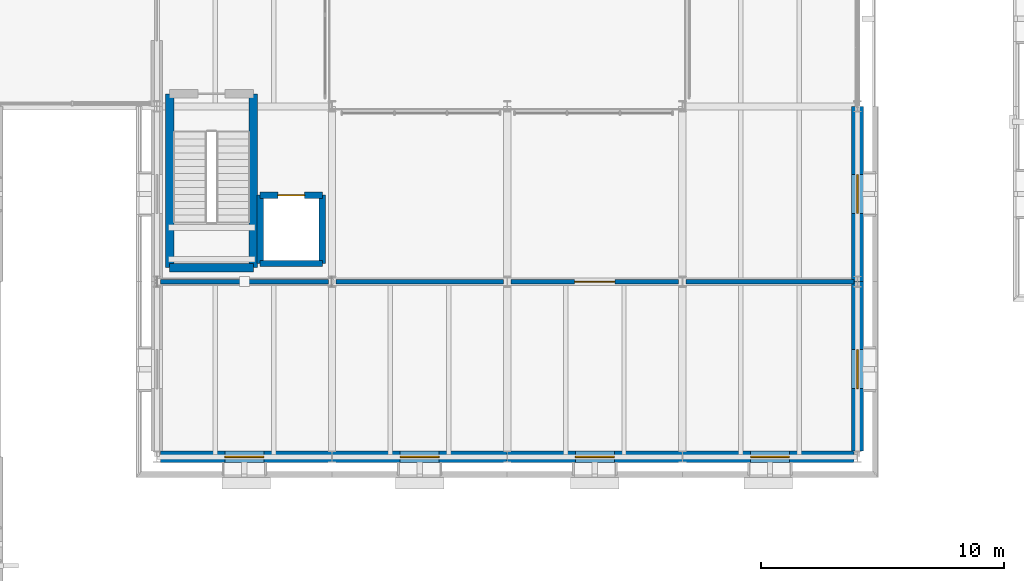
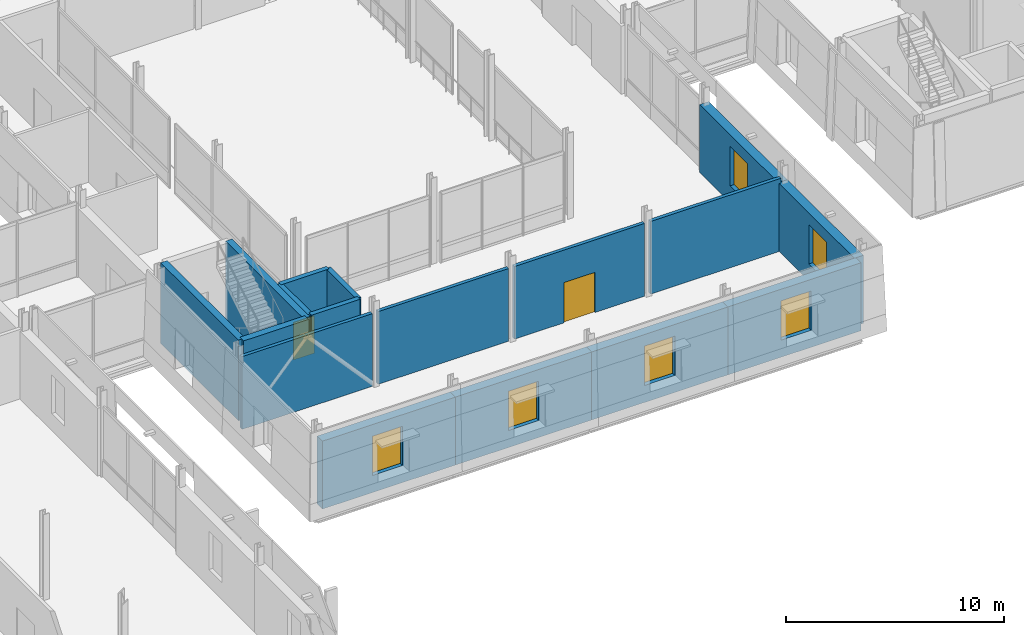
# One storey, part 77 of 121: 17 walls, 6 windows, 2 doors, 8 openings.
"""IFC4 building model written with IfcOpenShell, lengths in metres."""

import ifcopenshell
import ifcopenshell.guid

model = None  # the IFC model being written
_history = None  # IfcOwnerHistory: only IFC2X3 demands one
_inside = {}  # id of a spatial element -> (the spatial element, [elements in it])
_under = {}  # id of a project, library or spatial element -> (it, [spatial elements below it])
_declared = {}  # id of a project -> (the project, [libraries it declares])
_typed = {}  # id of a type object -> (the type object, [elements of that type])
_made_of = {}  # id of a material, layer set ... -> (it, [elements and type objects made of it])


def new_model(schema):
    """Start an empty IFC model of exactly this schema.

    Asked for "IFC4X3", IfcOpenShell would pick the latest addendum, in which some entities
    have other attributes; the version numbers below select the first issue.
    IFC2X3 requires an IfcOwnerHistory on every rooted entity: one is made here for all.
    """
    global model, _history
    if schema == "IFC4X3":
        model = ifcopenshell.file(schema_version=(4, 3, 0, 0))
    else:
        model = ifcopenshell.file(schema=schema)
    _inside.clear()
    _under.clear()
    _declared.clear()
    _typed.clear()
    _made_of.clear()
    _history = None
    if model.schema == "IFC2X3":
        org = make("IfcOrganization", Name="unknown")
        user = make(
            "IfcPersonAndOrganization",
            ThePerson=make("IfcPerson", FamilyName="unknown"),
            TheOrganization=org,
        )
        app = make(
            "IfcApplication",
            ApplicationDeveloper=org,
            Version="unknown",
            ApplicationFullName="unknown",
            ApplicationIdentifier="unknown",
        )
        _history = make(
            "IfcOwnerHistory",
            OwningUser=user,
            OwningApplication=app,
            ChangeAction="ADDED",
            CreationDate=0,
        )
    return model


def make(cls, **values):
    """One entity of the class cls with the attributes given. An attribute that is None is left unset."""
    return model.create_entity(
        cls, **{name: value for name, value in values.items() if value is not None}
    )


def rooted(cls, **values):
    """An entity with a GlobalId (a new one), such as an element, a storey or a relation."""
    return make(cls, GlobalId=ifcopenshell.guid.new(), OwnerHistory=_history, **values)


def si_unit(unit_type, name, prefix=None):
    """IfcSIUnit, for example si_unit("LENGTHUNIT", "METRE", prefix="MILLI")."""
    return make("IfcSIUnit", UnitType=unit_type, Prefix=prefix, Name=name)


def assignment(units):
    """IfcUnitAssignment: the units of a project."""
    return None if units is None else make("IfcUnitAssignment", Units=units)


def point(xyz):
    """IfcCartesianPoint."""
    return None if xyz is None else make("IfcCartesianPoint", Coordinates=xyz)


def direction(xyz):
    """IfcDirection."""
    return None if xyz is None else make("IfcDirection", DirectionRatios=xyz)


def frame(location, z_axis=None, x_axis=None):
    """IfcAxis2Placement3D, a coordinate frame: its origin and axes. An axis left out is left unset."""
    return make(
        "IfcAxis2Placement3D",
        Location=point(location),
        Axis=direction(z_axis),
        RefDirection=direction(x_axis),
    )


def frame_2d(location, x_axis=None):
    """IfcAxis2Placement2D, a coordinate frame in the plane: its origin and x axis."""
    return make(
        "IfcAxis2Placement2D", Location=point(location), RefDirection=direction(x_axis)
    )


def origin():
    """The frame at (0, 0, 0) with its axes left unset."""
    return frame((0.0, 0.0, 0.0))


def place(relative_to, where):
    """IfcLocalPlacement: puts the frame where relative to a parent placement (None: the world)."""
    return make(
        "IfcLocalPlacement", PlacementRelTo=relative_to, RelativePlacement=where
    )


def context(
    kind, dimensions, precision=None, world=None, true_north=None, identifier=None
):
    """IfcGeometricRepresentationContext, for example the 3D "Model" context."""
    return make(
        "IfcGeometricRepresentationContext",
        ContextIdentifier=identifier,
        ContextType=kind,
        CoordinateSpaceDimension=dimensions,
        Precision=precision,
        WorldCoordinateSystem=world,
        TrueNorth=true_north,
    )


def subcontext(parent, identifier, kind, view, scale=None):
    """IfcGeometricRepresentationSubContext, for example "Body" below "Model"."""
    return make(
        "IfcGeometricRepresentationSubContext",
        ContextIdentifier=identifier,
        ContextType=kind,
        ParentContext=parent,
        TargetScale=scale,
        TargetView=view,
    )


def project(units=None, contexts=None):
    """IfcProject with its units and contexts."""
    return rooted(
        "IfcProject",
        Name="project",
        RepresentationContexts=contexts,
        UnitsInContext=assignment(units),
    )


def spatial(cls, under=None, at=None, **own):
    """A site, building, storey or space (cls), placed at a placement, below another one or the project."""
    s = rooted(cls, ObjectPlacement=at, **own)
    if under is not None:
        _under.setdefault(under.id(), (under, []))[1].append(s)
    return s


def profile(cls, at=None, kind="AREA", **sizes):
    """A parametric profile (cls). Its sizes go by their IFC names, for example OverallWidth=200.0."""
    return make(cls, ProfileType=kind, Position=at, **sizes)


def rectangle(**sizes):
    """IfcRectangleProfileDef."""
    return profile("IfcRectangleProfileDef", **sizes)


def extrude(swept, where, along, depth):
    """IfcExtrudedAreaSolid: the profile swept, set in the frame where, extruded along a direction by depth."""
    return make(
        "IfcExtrudedAreaSolid",
        SweptArea=swept,
        Position=where,
        ExtrudedDirection=direction(along),
        Depth=depth,
    )


def shape(context_of_items, identifier, shape_type, items):
    """IfcShapeRepresentation: the items that make up one representation, for example the "Body"."""
    return make(
        "IfcShapeRepresentation",
        ContextOfItems=context_of_items,
        RepresentationIdentifier=identifier,
        RepresentationType=shape_type,
        Items=items,
    )


def material(Name=None, Category=None):
    """IfcMaterial."""
    return make("IfcMaterial", Name=Name, Category=Category)


def layer(
    of_material, thickness, ventilated=None, Name=None, Category=None, Priority=None
):
    """IfcMaterialLayer: one layer of a wall or slab, of a material (None: an air gap)."""
    return make(
        "IfcMaterialLayer",
        Material=of_material,
        LayerThickness=thickness,
        IsVentilated=ventilated,
        Name=Name,
        Category=Category,
        Priority=Priority,
    )


def layer_set(layers, Name=None):
    """IfcMaterialLayerSet."""
    return make("IfcMaterialLayerSet", MaterialLayers=layers, LayerSetName=Name)


def made_of(thing, what):
    """Note that an element or type object is made of a material, layer set ...; save() writes the relation."""
    if what is not None:
        _made_of.setdefault(what.id(), (what, []))[1].append(thing)
    return thing


def type_object(cls, material=None, **own):
    """A type object (cls), such as IfcWallType, which elements share."""
    return made_of(rooted(cls, **own), material)


def element(
    cls,
    number,
    at=None,
    inside=None,
    cuts=None,
    type_object=None,
    material=None,
    context=None,
    identifier="Body",
    shape_type=None,
    held_by="IfcProductDefinitionShape",
    body=None,
    shapes=None,
    **own,
):
    """One element of the class cls, such as IfcWall. Its Tag is "e" and its number.

    at: its placement. inside: the storey or other place that contains it. cuts: it is an
    opening in that element (IfcRelVoidsElement). A single representation is given by context,
    identifier, shape_type and body (its items); several are given by shapes. held_by: the class
    of the entity that holds the representations. save() writes the other relations.
    """
    e = rooted(cls, Tag="e%d" % number, ObjectPlacement=at, **own)
    if body is not None:
        shapes = [shape(context, identifier, shape_type, body)]
    if shapes is not None:
        e.Representation = make(held_by, Representations=shapes)
    if inside is not None:
        _inside.setdefault(inside.id(), (inside, []))[1].append(e)
    if cuts is not None:
        rooted(
            "IfcRelVoidsElement", RelatingBuildingElement=cuts, RelatedOpeningElement=e
        )
    if type_object is not None:
        _typed.setdefault(type_object.id(), (type_object, []))[1].append(e)
    return made_of(e, material)


def fill(opening, filler):
    """IfcRelFillsElement: the door or window that sits in an opening."""
    return rooted(
        "IfcRelFillsElement",
        RelatingOpeningElement=opening,
        RelatedBuildingElement=filler,
    )


def aggregate(whole, parts):
    """IfcRelAggregates: a whole, such as a stair, and the parts it consists of."""
    return rooted("IfcRelAggregates", RelatingObject=whole, RelatedObjects=parts)


def save(model, path):
    """Write the relations noted so far, then the file.

    IfcRelAggregates (storeys below a building ...), IfcRelContainedInSpatialStructure (elements
    in a storey), IfcRelDefinesByType, IfcRelAssociatesMaterial and IfcRelDeclares: one each for
    every whole, place, type object, material and project.
    """
    for whole, parts in _under.values():
        aggregate(whole, parts)
    for where, things in _inside.values():
        rooted(
            "IfcRelContainedInSpatialStructure",
            RelatedElements=things,
            RelatingStructure=where,
        )
    for kind, things in _typed.values():
        rooted("IfcRelDefinesByType", RelatedObjects=things, RelatingType=kind)
    for what, things in _made_of.values():
        rooted("IfcRelAssociatesMaterial", RelatedObjects=things, RelatingMaterial=what)
    for by, libraries in _declared.values():
        rooted("IfcRelDeclares", RelatingContext=by, RelatedDefinitions=libraries)
    model.write(path)


model = new_model("IFC4")

# Units and contexts
model_context = context("Model", 3, precision=1e-05, world=origin(), true_north=direction((0.0, 1.0)))
body_context = subcontext(model_context, "Body", "Model", "MODEL_VIEW")
ifc_project = project(units=[si_unit("LENGTHUNIT", "METRE"), si_unit("AREAUNIT", "SQUARE_METRE"), si_unit("VOLUMEUNIT", "CUBIC_METRE"), si_unit("PLANEANGLEUNIT", "RADIAN"), si_unit("MASSUNIT", "GRAM", prefix="KILO")], contexts=[model_context])

# Site, building, storey
site_placement = place(None, origin())
site = spatial("IfcSite", under=ifc_project, at=site_placement, CompositionType="ELEMENT")
building_placement = place(site_placement, origin())
building = spatial("IfcBuilding", under=site, at=building_placement, Name="Narikvali Park Central Library", CompositionType="ELEMENT")
storey_placement = place(building_placement, frame((0.0, 0.0, 5.39990234375)))
storey = spatial("IfcBuildingStorey", under=building, at=storey_placement, Name="L01", CompositionType="ELEMENT", Elevation=5.39990234375)

# Walls
ifc_material_1 = material(Name="Acoustic Gypsum on Steel Studs", Category="steel")
ifc_layer_1 = layer(ifc_material_1, 0.179931640625, Name="Acoustic Gypsum on Steel Studs")
ifc_layer_set_1 = layer_set([ifc_layer_1], Name="Acoustic Gypsum on Steel Studs")
wall_type_1 = type_object("IfcWallType", Name="Reading Room Acoustic Partition 180", PredefinedType="PARTITIONING", material=ifc_layer_set_1)
for number, where, z_axis, x_axis, name in (
    (1, (28.9541015625, 57.60009765625, 0.0), (0.0, 0.0, 1.0), (1.0, 0.0, 0.0), "Atrium Park-View Reading Room L01 Partition N"),
    (2, (36.154052734375, 57.60009765625, 0.0), (0.0, 0.0, 1.0), (1.0, 0.0, 0.0), "Atrium Park-View Reading Room L01 Partition N"),
):
    element("IfcWall", number, at=place(storey_placement, frame(where, z_axis=z_axis, x_axis=x_axis)), inside=storey, type_object=wall_type_1, Name=name, PredefinedType="PARTITIONING", context=body_context, shape_type="SweptSolid", body=[
        extrude(rectangle(XDim=6.891845703125, YDim=0.179931640625, at=frame_2d((3.44580078125, 0.0))), origin(), (0.0, 0.0, 1.0), 4.065185546875),
    ])

# Wall, opening, door
wall_1_placement = place(storey_placement, frame((43.35400390625, 57.60009765625, 0.0), z_axis=(0.0, 0.0, 1.0), x_axis=(1.0, 0.0, 0.0)))
wall_1 = element("IfcWall", 3, at=wall_1_placement, inside=storey, type_object=wall_type_1, Name="Atrium Park-View Reading Room L01 Partition N", PredefinedType="PARTITIONING", context=body_context, shape_type="SweptSolid", body=[
    extrude(rectangle(XDim=6.89208984375, YDim=0.179931640625, at=frame_2d((3.446044921875, 0.0))), origin(), (0.0, 0.0, 1.0), 4.065185546875),
])
opening_1_placement = place(wall_1_placement, frame((2.62109375, 0.0, 0.0)))
opening_1 = element("IfcOpeningElement", 4, at=opening_1_placement, cuts=wall_1, Name="Opening ID-0092", PredefinedType="OPENING", context=body_context, shape_type="SweptSolid", body=[
    extrude(rectangle(XDim=1.64990234375, YDim=2.25, at=frame_2d((0.824951171875, 1.125))), frame((0.0, 0.10205078125, 0.0), z_axis=(0.0, -1.0, 0.0), x_axis=(1.0, 0.0, 0.0)), (0.0, 0.0, 1.0), 0.203857421875),
])
ifc_material_2 = material(Name="Caucasian Oak and Tempered Glass", Category="glass")
door_type_1 = type_object("IfcDoorType", Name="Open Stacks Double Glazed Door 1650x2250", OperationType="DOUBLE_DOOR_SINGLE_SWING", PredefinedType="DOOR", material=ifc_material_2)
door_1_placement = place(opening_1_placement, frame((1.64990234375, 0.0, 0.0), z_axis=(0.0, 0.0, 1.0), x_axis=(-1.0, 0.0, 0.0)))
door_1 = element("IfcDoor", 5, at=door_1_placement, inside=storey, type_object=door_type_1, Name="Atrium Park-View Reading Room L01 Door ID-0092", OperationType="DOUBLE_DOOR_SINGLE_SWING", OverallHeight=2.25, OverallWidth=1.64990234375, PredefinedType="DOOR", context=body_context, shape_type="SweptSolid", body=[
    extrude(rectangle(XDim=1.64990234375, YDim=2.25, at=frame_2d((0.824951171875, 1.125))), frame((0.0, 0.02490234375, 0.0), z_axis=(0.0, -1.0, 0.0), x_axis=(1.0, 0.0, 0.0)), (0.0, 0.0, 1.0), 0.050048828125),
])
fill(opening_1, door_1)

# Walls
wall_2_placement = place(storey_placement, frame((50.553955078125, 57.60009765625, 0.0), z_axis=(0.0, 0.0, 1.0), x_axis=(1.0, 0.0, 0.0)))
element("IfcWall", 6, at=wall_2_placement, inside=storey, type_object=wall_type_1, Name="Atrium Park-View Reading Room L01 Partition N", PredefinedType="PARTITIONING", context=body_context, shape_type="SweptSolid", body=[
    extrude(rectangle(XDim=6.89208984375, YDim=0.179931640625, at=frame_2d((3.446044921875, 0.0))), origin(), (0.0, 0.0, 1.0), 4.065185546875),
])
ifc_material_3 = material(Name="Concrete C40/50", Category="concrete")
ifc_layer_2 = layer(ifc_material_3, 0.35009765625, Name="Concrete C40/50")
ifc_layer_set_2 = layer_set([ifc_layer_2], Name="Concrete C40/50")
wall_type_2 = type_object("IfcWallType", Name="Reinforced Concrete Core Shear Wall 350", PredefinedType="SHEAR", material=ifc_layer_set_2)
wall_3_placement = place(storey_placement, frame((29.330078125, 58.179931640625, 0.0), z_axis=(0.0, 0.0, 1.0), x_axis=(1.0, 0.0, 0.0)))
element("IfcWall", 7, at=wall_3_placement, inside=storey, type_object=wall_type_2, Name="C4A L01 Stair Core Shear Wall S", PredefinedType="SHEAR", context=body_context, shape_type="SweptSolid", body=[
    extrude(rectangle(XDim=3.43994140625, YDim=0.35009765625, at=frame_2d((1.719970703125, 0.0))), origin(), (0.0, 0.0, 1.0), 4.52001953125),
])
for number, where, z_axis, x_axis, name in (
    (8, (32.77001953125, 58.179931640625, 0.0), (0.0, 0.0, 1.0), (0.0, 1.0, 0.0), "C4A L01 Stair Core Shear Wall E"),
    (9, (29.330078125, 65.320068359375, 0.0), (0.0, 0.0, 1.0), (0.0, -1.0, 0.0), "C4A L01 Stair Core Shear Wall W"),
):
    element("IfcWall", number, at=place(storey_placement, frame(where, z_axis=z_axis, x_axis=x_axis)), inside=storey, type_object=wall_type_2, Name=name, PredefinedType="SHEAR", context=body_context, shape_type="SweptSolid", body=[
        extrude(rectangle(XDim=7.14013671875, YDim=0.35009765625, at=frame_2d((3.570068359375, 0.0))), origin(), (0.0, 0.0, 1.0), 4.52001953125),
    ])
ifc_layer_3 = layer(ifc_material_3, 0.25, Name="Concrete C40/50")
ifc_layer_set_3 = layer_set([ifc_layer_3], Name="Concrete C40/50")
wall_type_3 = type_object("IfcWallType", Name="Reinforced Concrete Lift Shaft Wall 250", PredefinedType="SHEAR", material=ifc_layer_set_3)
wall_4_placement = place(storey_placement, frame((33.050048828125, 58.35009765625, 0.0), z_axis=(0.0, 0.0, 1.0), x_axis=(1.0, 0.0, 0.0)))
element("IfcWall", 10, at=wall_4_placement, inside=storey, type_object=wall_type_3, Name="L-05 L01 Lift Shaft Wall S", PredefinedType="SHEAR", context=body_context, shape_type="SweptSolid", body=[
    extrude(rectangle(XDim=2.550048828125, YDim=0.25, at=frame_2d((1.27490234375, 0.0))), origin(), (0.0, 0.0, 1.0), 4.52001953125),
])
wall_5_placement = place(storey_placement, frame((35.60009765625, 58.35009765625, 0.0), z_axis=(0.0, 0.0, 1.0), x_axis=(0.0, 1.0, 0.0)))
element("IfcWall", 11, at=wall_5_placement, inside=storey, type_object=wall_type_3, Name="L-05 L01 Lift Shaft Wall E", PredefinedType="SHEAR", context=body_context, shape_type="SweptSolid", body=[
    extrude(rectangle(XDim=2.7998046875, YDim=0.25, at=frame_2d((1.39990234375, 0.0))), origin(), (0.0, 0.0, 1.0), 4.52001953125),
])

# Wall, opening, door
wall_6_placement = place(storey_placement, frame((35.60009765625, 61.14990234375, 0.0), z_axis=(0.0, 0.0, 1.0), x_axis=(-1.0, 0.0, 0.0)))
wall_6 = element("IfcWall", 12, at=wall_6_placement, inside=storey, type_object=wall_type_3, Name="L-05 L01 Lift Shaft Wall N", PredefinedType="SHEAR", context=body_context, shape_type="SweptSolid", body=[
    extrude(rectangle(XDim=2.550048828125, YDim=0.25, at=frame_2d((1.27490234375, 0.0))), origin(), (0.0, 0.0, 1.0), 4.52001953125),
])
opening_2_placement = place(wall_6_placement, frame((0.72509765625, 0.0, 0.0)))
opening_2 = element("IfcOpeningElement", 13, at=opening_2_placement, cuts=wall_6, Name="Opening LD-024", PredefinedType="OPENING", context=body_context, shape_type="SweptSolid", body=[
    extrude(rectangle(XDim=1.10009765625, YDim=2.10009765625, at=frame_2d((0.550048828125, 1.050048828125))), frame((0.0, 0.136962890625, 0.0), z_axis=(0.0, -1.0, 0.0), x_axis=(1.0, 0.0, 0.0)), (0.0, 0.0, 1.0), 0.27392578125),
])
ifc_material_4 = material(Name="Brushed Stainless Steel S355", Category="steel")
door_type_2 = type_object("IfcDoorType", Name="Passenger Lift Sliding Landing Door 1100x2100", OperationType="SLIDING_TO_LEFT", PredefinedType="DOOR", material=ifc_material_4)
door_2_placement = place(opening_2_placement, origin())
door_2 = element("IfcDoor", 14, at=door_2_placement, inside=storey, type_object=door_type_2, Name="L-05 L01 Lift Landing Sliding Door LD-024", OperationType="SLIDING_TO_LEFT", OverallHeight=2.10009765625, OverallWidth=1.10009765625, PredefinedType="DOOR", context=body_context, shape_type="SweptSolid", body=[
    extrude(rectangle(XDim=1.10009765625, YDim=2.10009765625, at=frame_2d((0.550048828125, 1.050048828125))), frame((0.0, 0.02490234375, 0.0), z_axis=(0.0, -1.0, 0.0), x_axis=(1.0, 0.0, 0.0)), (0.0, 0.0, 1.0), 0.050048828125),
])
fill(opening_2, door_2)

# Wall
wall_7_placement = place(storey_placement, frame((33.050048828125, 61.14990234375, 0.0), z_axis=(0.0, 0.0, 1.0), x_axis=(0.0, -1.0, 0.0)))
element("IfcWall", 15, at=wall_7_placement, inside=storey, type_object=wall_type_3, Name="L-05 L01 Lift Shaft Wall W", PredefinedType="SHEAR", context=body_context, shape_type="SweptSolid", body=[
    extrude(rectangle(XDim=2.7998046875, YDim=0.25, at=frame_2d((1.39990234375, 0.0))), origin(), (0.0, 0.0, 1.0), 4.52001953125),
])

# Wall, opening, window
ifc_material_5 = material(Name="White Honed Limestone over Concrete C35/45", Category="masonry")
ifc_layer_4 = layer(ifc_material_5, 0.47998046875, Name="White Honed Limestone over Concrete C35/45")
ifc_layer_set_4 = layer_set([ifc_layer_4], Name="White Honed Limestone over Concrete C35/45")
wall_type_4 = type_object("IfcWallType", Name="White Limestone Battered Tier1 Wall 480", PredefinedType="SOLIDWALL", material=ifc_layer_set_4)
wall_8_placement = place(storey_placement, frame((28.9541015625, 50.39990234375, 0.0), z_axis=(0.0, 0.0, 1.0), x_axis=(1.0, 0.0, 0.0)))
wall_8 = element("IfcWall", 16, at=wall_8_placement, inside=storey, type_object=wall_type_4, Name="V4 L01 S Exterior Limestone Wall B01", PredefinedType="SOLIDWALL", context=body_context, shape_type="SweptSolid", body=[
    extrude(rectangle(XDim=7.0458984375, YDim=0.47998046875, at=frame_2d((3.52294921875, 0.0))), origin(), (0.0, 0.0, 1.0), 3.800048828125),
])
opening_3_placement = place(wall_8_placement, frame((2.64599609375, 0.0, 0.949951171875)))
opening_3 = element("IfcOpeningElement", 17, at=opening_3_placement, cuts=wall_8, Name="Opening WIN-0143", PredefinedType="OPENING", context=body_context, shape_type="SweptSolid", body=[
    extrude(rectangle(XDim=1.60009765625, YDim=2.199951171875, at=frame_2d((0.800048828125, 1.10009765625))), frame((0.0, 0.251953125, 0.0), z_axis=(0.0, -1.0, 0.0), x_axis=(1.0, 0.0, 0.0)), (0.0, 0.0, 1.0), 0.50390625),
])
ifc_material_6 = material(Name="Anodised Bronze Aluminium and Low-E Triple Glazing", Category="aluminium")
window_type = type_object("IfcWindowType", Name="Atrium Reading Wing Classical Window 1600x2200", PartitioningType="DOUBLE_PANEL_VERTICAL", PredefinedType="WINDOW", material=ifc_material_6)
window_1_placement = place(opening_3_placement, origin())
window_1 = element("IfcWindow", 18, at=window_1_placement, inside=storey, type_object=window_type, Name="V4 L01 S Deep-Reveal Window WIN-0143", OverallHeight=2.199951171875, OverallWidth=1.60009765625, PartitioningType="SINGLE_PANEL", PredefinedType="WINDOW", context=body_context, shape_type="SweptSolid", body=[
    extrude(rectangle(XDim=1.60009765625, YDim=2.199951171875, at=frame_2d((0.800048828125, 1.10009765625))), frame((0.0, 0.030029296875, 0.0), z_axis=(0.0, -1.0, 0.0), x_axis=(1.0, 0.0, 0.0)), (0.0, 0.0, 1.0), 0.06005859375),
])
fill(opening_3, window_1)

wall_9_placement = place(storey_placement, frame((36.0, 50.39990234375, 0.0), z_axis=(0.0, 0.0, 1.0), x_axis=(1.0, 0.0, 0.0)))
wall_9 = element("IfcWall", 19, at=wall_9_placement, inside=storey, type_object=wall_type_4, Name="V4 L01 S Exterior Limestone Wall B02", PredefinedType="SOLIDWALL", context=body_context, shape_type="SweptSolid", body=[
    extrude(rectangle(XDim=7.199951171875, YDim=0.47998046875, at=frame_2d((3.60009765625, 0.0))), origin(), (0.0, 0.0, 1.0), 3.800048828125),
])
opening_4_placement = place(wall_9_placement, frame((2.800048828125, 0.0, 0.949951171875)))
opening_4 = element("IfcOpeningElement", 20, at=opening_4_placement, cuts=wall_9, Name="Opening WIN-0144", PredefinedType="OPENING", context=body_context, shape_type="SweptSolid", body=[
    extrude(rectangle(XDim=1.60009765625, YDim=2.199951171875, at=frame_2d((0.800048828125, 1.10009765625))), frame((0.0, 0.251953125, 0.0), z_axis=(0.0, -1.0, 0.0), x_axis=(1.0, 0.0, 0.0)), (0.0, 0.0, 1.0), 0.50390625),
])
window_2_placement = place(opening_4_placement, origin())
window_2 = element("IfcWindow", 21, at=window_2_placement, inside=storey, type_object=window_type, Name="V4 L01 S Deep-Reveal Window WIN-0144", OverallHeight=2.199951171875, OverallWidth=1.60009765625, PartitioningType="SINGLE_PANEL", PredefinedType="WINDOW", context=body_context, shape_type="SweptSolid", body=[
    extrude(rectangle(XDim=1.60009765625, YDim=2.199951171875, at=frame_2d((0.800048828125, 1.10009765625))), frame((0.0, 0.030029296875, 0.0), z_axis=(0.0, -1.0, 0.0), x_axis=(1.0, 0.0, 0.0)), (0.0, 0.0, 1.0), 0.06005859375),
])
fill(opening_4, window_2)

wall_10_placement = place(storey_placement, frame((43.199951171875, 50.39990234375, 0.0), z_axis=(0.0, 0.0, 1.0), x_axis=(1.0, 0.0, 0.0)))
wall_10 = element("IfcWall", 22, at=wall_10_placement, inside=storey, type_object=wall_type_4, Name="V4 L01 S Exterior Limestone Wall B03", PredefinedType="SOLIDWALL", context=body_context, shape_type="SweptSolid", body=[
    extrude(rectangle(XDim=7.199951171875, YDim=0.47998046875, at=frame_2d((3.60009765625, 0.0))), origin(), (0.0, 0.0, 1.0), 3.800048828125),
])
opening_5_placement = place(wall_10_placement, frame((2.800048828125, 0.0, 0.949951171875)))
opening_5 = element("IfcOpeningElement", 23, at=opening_5_placement, cuts=wall_10, Name="Opening WIN-0145", PredefinedType="OPENING", context=body_context, shape_type="SweptSolid", body=[
    extrude(rectangle(XDim=1.60009765625, YDim=2.199951171875, at=frame_2d((0.800048828125, 1.10009765625))), frame((0.0, 0.251953125, 0.0), z_axis=(0.0, -1.0, 0.0), x_axis=(1.0, 0.0, 0.0)), (0.0, 0.0, 1.0), 0.50390625),
])
window_3_placement = place(opening_5_placement, origin())
window_3 = element("IfcWindow", 24, at=window_3_placement, inside=storey, type_object=window_type, Name="V4 L01 S Deep-Reveal Window WIN-0145", OverallHeight=2.199951171875, OverallWidth=1.60009765625, PartitioningType="SINGLE_PANEL", PredefinedType="WINDOW", context=body_context, shape_type="SweptSolid", body=[
    extrude(rectangle(XDim=1.60009765625, YDim=2.199951171875, at=frame_2d((0.800048828125, 1.10009765625))), frame((0.0, 0.030029296875, 0.0), z_axis=(0.0, -1.0, 0.0), x_axis=(1.0, 0.0, 0.0)), (0.0, 0.0, 1.0), 0.06005859375),
])
fill(opening_5, window_3)

wall_11_placement = place(storey_placement, frame((50.39990234375, 50.39990234375, 0.0), z_axis=(0.0, 0.0, 1.0), x_axis=(1.0, 0.0, 0.0)))
wall_11 = element("IfcWall", 25, at=wall_11_placement, inside=storey, type_object=wall_type_4, Name="V4 L01 S Exterior Limestone Wall B04", PredefinedType="SOLIDWALL", context=body_context, shape_type="SweptSolid", body=[
    extrude(rectangle(XDim=7.046142578125, YDim=0.47998046875, at=frame_2d((3.52294921875, 0.0))), origin(), (0.0, 0.0, 1.0), 3.800048828125),
])
opening_6_placement = place(wall_11_placement, frame((2.800048828125, 0.0, 0.949951171875)))
opening_6 = element("IfcOpeningElement", 26, at=opening_6_placement, cuts=wall_11, Name="Opening WIN-0146", PredefinedType="OPENING", context=body_context, shape_type="SweptSolid", body=[
    extrude(rectangle(XDim=1.60009765625, YDim=2.199951171875, at=frame_2d((0.800048828125, 1.10009765625))), frame((0.0, 0.251953125, 0.0), z_axis=(0.0, -1.0, 0.0), x_axis=(1.0, 0.0, 0.0)), (0.0, 0.0, 1.0), 0.50390625),
])
window_4_placement = place(opening_6_placement, origin())
window_4 = element("IfcWindow", 27, at=window_4_placement, inside=storey, type_object=window_type, Name="V4 L01 S Deep-Reveal Window WIN-0146", OverallHeight=2.199951171875, OverallWidth=1.60009765625, PartitioningType="SINGLE_PANEL", PredefinedType="WINDOW", context=body_context, shape_type="SweptSolid", body=[
    extrude(rectangle(XDim=1.60009765625, YDim=2.199951171875, at=frame_2d((0.800048828125, 1.10009765625))), frame((0.0, 0.030029296875, 0.0), z_axis=(0.0, -1.0, 0.0), x_axis=(1.0, 0.0, 0.0)), (0.0, 0.0, 1.0), 0.06005859375),
])
fill(opening_6, window_4)

wall_12_placement = place(storey_placement, frame((57.60009765625, 50.62890625, 0.0), z_axis=(0.0, 0.0, 1.0), x_axis=(0.0, 1.0, 0.0)))
wall_12 = element("IfcWall", 28, at=wall_12_placement, inside=storey, type_object=wall_type_4, Name="V4 L01 E Exterior Limestone Wall B01", PredefinedType="SOLIDWALL", context=body_context, shape_type="SweptSolid", body=[
    extrude(rectangle(XDim=6.97119140625, YDim=0.47998046875, at=frame_2d((3.485595703125, 0.0))), origin(), (0.0, 0.0, 1.0), 3.800048828125),
])
opening_7_placement = place(wall_12_placement, frame((2.571044921875, 0.0, 0.949951171875)))
opening_7 = element("IfcOpeningElement", 29, at=opening_7_placement, cuts=wall_12, Name="Opening WIN-0147", PredefinedType="OPENING", context=body_context, shape_type="SweptSolid", body=[
    extrude(rectangle(XDim=1.60009765625, YDim=2.199951171875, at=frame_2d((0.800048828125, 1.10009765625))), frame((0.0, 0.251953125, 0.0), z_axis=(0.0, -1.0, 0.0), x_axis=(1.0, 0.0, 0.0)), (0.0, 0.0, 1.0), 0.50390625),
])
window_5_placement = place(opening_7_placement, origin())
window_5 = element("IfcWindow", 30, at=window_5_placement, inside=storey, type_object=window_type, Name="V4 L01 E Deep-Reveal Window WIN-0147", OverallHeight=2.199951171875, OverallWidth=1.60009765625, PartitioningType="SINGLE_PANEL", PredefinedType="WINDOW", context=body_context, shape_type="SweptSolid", body=[
    extrude(rectangle(XDim=1.60009765625, YDim=2.199951171875, at=frame_2d((0.800048828125, 1.10009765625))), frame((0.0, 0.030029296875, 0.0), z_axis=(0.0, -1.0, 0.0), x_axis=(1.0, 0.0, 0.0)), (0.0, 0.0, 1.0), 0.06005859375),
])
fill(opening_7, window_5)

wall_13_placement = place(storey_placement, frame((57.60009765625, 57.60009765625, 0.0), z_axis=(0.0, 0.0, 1.0), x_axis=(0.0, 1.0, 0.0)))
wall_13 = element("IfcWall", 31, at=wall_13_placement, inside=storey, type_object=wall_type_4, Name="V4 L01 E Exterior Limestone Wall B02", PredefinedType="SOLIDWALL", context=body_context, shape_type="SweptSolid", body=[
    extrude(rectangle(XDim=7.199951171875, YDim=0.47998046875, at=frame_2d((3.60009765625, 0.0))), origin(), (0.0, 0.0, 1.0), 3.800048828125),
])
opening_8_placement = place(wall_13_placement, frame((2.800048828125, 0.0, 0.949951171875)))
opening_8 = element("IfcOpeningElement", 32, at=opening_8_placement, cuts=wall_13, Name="Opening WIN-0148", PredefinedType="OPENING", context=body_context, shape_type="SweptSolid", body=[
    extrude(rectangle(XDim=1.60009765625, YDim=2.199951171875, at=frame_2d((0.800048828125, 1.10009765625))), frame((0.0, 0.251953125, 0.0), z_axis=(0.0, -1.0, 0.0), x_axis=(1.0, 0.0, 0.0)), (0.0, 0.0, 1.0), 0.50390625),
])
window_6_placement = place(opening_8_placement, origin())
window_6 = element("IfcWindow", 33, at=window_6_placement, inside=storey, type_object=window_type, Name="V4 L01 E Deep-Reveal Window WIN-0148", OverallHeight=2.199951171875, OverallWidth=1.60009765625, PartitioningType="SINGLE_PANEL", PredefinedType="WINDOW", context=body_context, shape_type="SweptSolid", body=[
    extrude(rectangle(XDim=1.60009765625, YDim=2.199951171875, at=frame_2d((0.800048828125, 1.10009765625))), frame((0.0, 0.030029296875, 0.0), z_axis=(0.0, -1.0, 0.0), x_axis=(1.0, 0.0, 0.0)), (0.0, 0.0, 1.0), 0.06005859375),
])
fill(opening_8, window_6)

save(model, "model.ifc")
